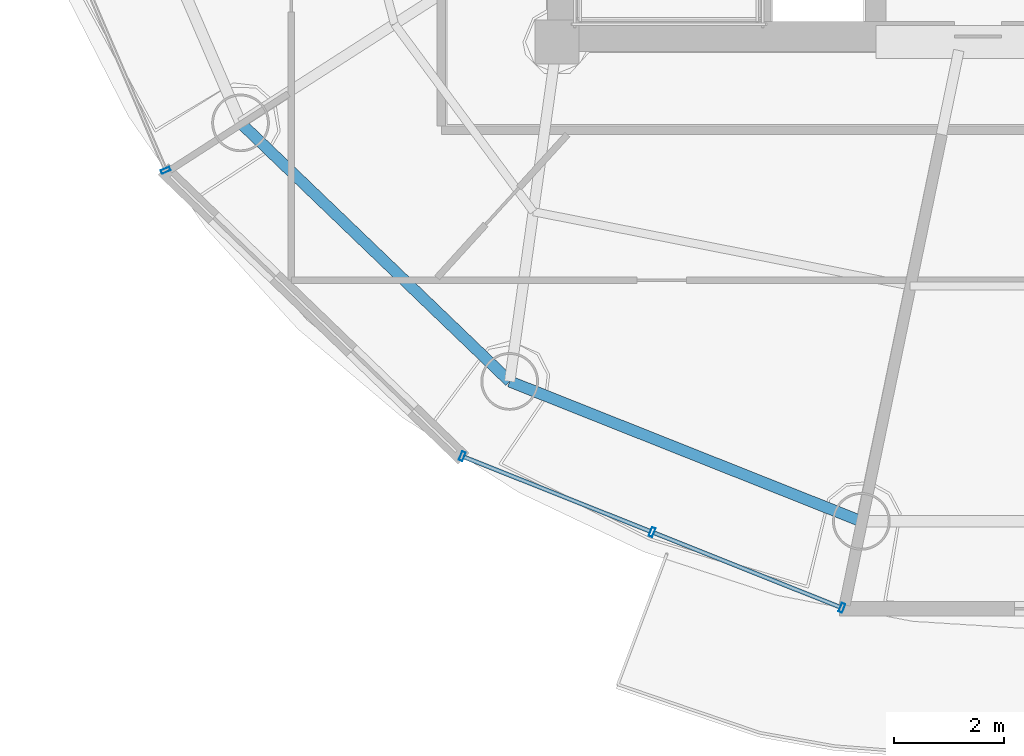
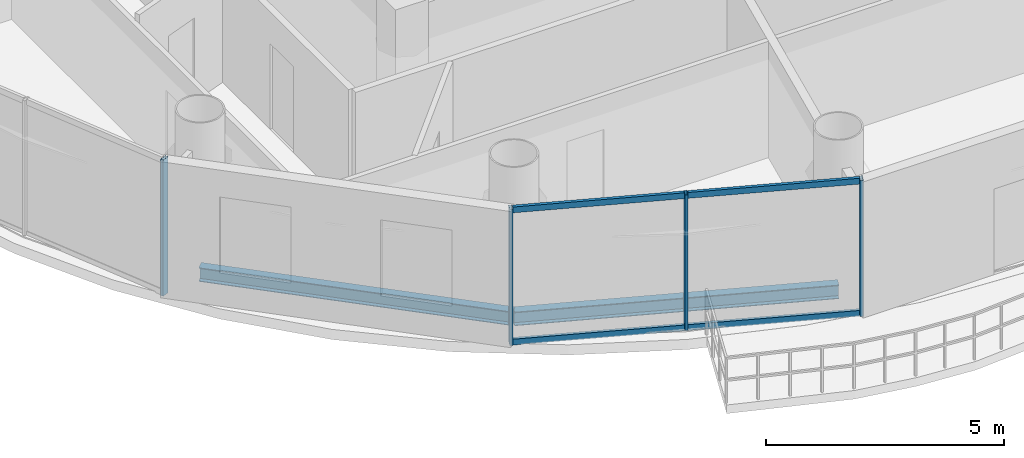
# One storey, part 2 of 22: 8 members, 2 beams, 2 elements without a shape of their own.
"""IFC4 building model written with IfcOpenShell, lengths in metres."""

from ifc_helpers import new_model, si_unit, direction, frame, origin, origin_2d, place, context, subcontext, project, spatial, hollow_rectangle, i_section, extrude, source, transform, mapped, material, material_profile, profile_set, type_object, element, aggregate, save


model = new_model("IFC4")

# Units and contexts
model_context = context("Model", 3, precision=1e-05, world=origin(), true_north=direction((-0.2419218956, 0.970295726276)))
body_context = subcontext(model_context, "Body", "Model", "MODEL_VIEW")
ifc_project = project(units=[si_unit("LENGTHUNIT", "METRE"), si_unit("AREAUNIT", "SQUARE_METRE"), si_unit("VOLUMEUNIT", "CUBIC_METRE"), si_unit("PLANEANGLEUNIT", "RADIAN"), si_unit("MASSUNIT", "GRAM", prefix="KILO")], contexts=[model_context])

# Site, building, storey
site_placement = place(None, origin())
site = spatial("IfcSite", under=ifc_project, at=site_placement, CompositionType="ELEMENT")
building_placement = place(site_placement, origin())
building = spatial("IfcBuilding", under=site, at=building_placement, Name="Cobrevalo Terracotta Tower", CompositionType="ELEMENT")
storey_placement = place(building_placement, frame((0.0, 0.0, 289.449951171875)))
storey = spatial("IfcBuildingStorey", under=building, at=storey_placement, Name="L76", CompositionType="ELEMENT", Elevation=289.449951171875)

# Beams
ifc_material_1 = material(Name="Steel S355", Category="steel")
ifc_material_profile_1 = material_profile(ifc_material_1, i_section(OverallWidth=0.205078125, OverallDepth=0.35400390625, WebThickness=0.009521484375, FlangeThickness=0.016845703125, at=origin_2d()), Name="W 360x79")
ifc_profile_set_1 = profile_set([ifc_material_profile_1], Name="Steel S355")
beam_type = type_object("IfcBeamType", Name="Structural Spandrel W 360x79 (Steel S355)", PredefinedType="SPANDREL", material=ifc_profile_set_1)
beam_1_placement = place(storey_placement, frame((23.241455078125, 17.32763671875, -0.43701171875), z_axis=(0.721183246144, -0.692744343522, 0.0), x_axis=(0.692744343522, 0.721183246144, 0.0)))
element("IfcBeam", 1, at=beam_1_placement, inside=storey, type_object=beam_type, Name="L76 perimeter ring spandrel 10", PredefinedType="SPANDREL", context=body_context, shape_type="SweptSolid", body=[
    extrude(i_section(OverallWidth=0.205078125, OverallDepth=0.35400390625, WebThickness=0.009521484375, FlangeThickness=0.016845703125, at=origin_2d()), origin(), (0.0, 0.0, 1.0), 6.79052734375),
])
beam_2_placement = place(storey_placement, frame((28.138671875, 12.62353515625, -0.43701171875), z_axis=(0.929149986048, -0.369702993533, 0.0), x_axis=(0.369702993533, 0.929149986048, 0.0)))
element("IfcBeam", 2, at=beam_2_placement, inside=storey, type_object=beam_type, Name="L76 perimeter ring spandrel 11", PredefinedType="SPANDREL", context=body_context, shape_type="SweptSolid", body=[
    extrude(i_section(OverallWidth=0.205078125, OverallDepth=0.35400390625, WebThickness=0.009521484375, FlangeThickness=0.016845703125, at=origin_2d()), origin(), (0.0, 0.0, 1.0), 6.88623046875),
])

# Curtain wall, member
ifc_material_2 = material(Name="Anodized aluminium", Category="aluminium")
curtain_wall_type = type_object("IfcCurtainWallType", Name="Upper-tower triple-glazed penthouse curtain wall CW-U3", PredefinedType="NOTDEFINED", material=ifc_material_2)
curtain_wall_1_placement = place(storey_placement, origin())
curtain_wall_1 = element("IfcCurtainWall", 3, at=curtain_wall_1_placement, inside=storey, type_object=curtain_wall_type, Name="L76 curtain wall CW-L76-S09", PredefinedType="NOTDEFINED")
ifc_material_profile_2 = material_profile(ifc_material_2, hollow_rectangle(XDim=0.070068359375, YDim=0.169921875, WallThickness=0.00439453125, at=origin_2d()), Name="CWM 70x170")
ifc_profile_set_2 = profile_set([ifc_material_profile_2], Name="Anodized aluminium")
member_type_1 = type_object("IfcMemberType", Name="Upper tower unitised mullion 70x170", PredefinedType="MULLION", material=ifc_profile_set_2)
shared_shape_1 = source(origin(), body_context, "Body", "SweptSolid", [
    extrude(hollow_rectangle(XDim=0.070068359375, YDim=0.169921875, WallThickness=0.00439453125, at=origin_2d()), origin(), (0.0, 0.0, 1.0), 3.489990234375),
])
member_1_placement = place(storey_placement, frame((21.878662109375, 16.46435546875, 0.0), z_axis=(0.0, 0.0, 1.0), x_axis=(0.39482403454, -0.91875675875, 0.0)))
member_1 = element("IfcMember", 4, at=member_1_placement, type_object=member_type_1, Name="CW-L76-S09 vertical mullion 03", PredefinedType="MULLION", context=body_context, shape_type="MappedRepresentation", body=[
    mapped(shared_shape_1, transform((0.0, 0.0, 0.0), scale=1.0)),
])
aggregate(curtain_wall_1, [member_1])

# Curtain wall, members
curtain_wall_2_placement = place(storey_placement, origin())
curtain_wall_2 = element("IfcCurtainWall", 5, at=curtain_wall_2_placement, inside=storey, type_object=curtain_wall_type, Name="L76 curtain wall CW-L76-S11", PredefinedType="NOTDEFINED")
member_2_placement = place(storey_placement, frame((27.275634765625, 11.26171875, 0.0), z_axis=(0.0, 0.0, 1.0), x_axis=(0.928718980883, -0.370784377433, 0.0)))
member_2 = element("IfcMember", 6, at=member_2_placement, type_object=member_type_1, Name="CW-L76-S11 vertical mullion 01", PredefinedType="MULLION", context=body_context, shape_type="MappedRepresentation", body=[
    mapped(shared_shape_1, transform((0.0, 0.0, 0.0), scale=1.0)),
])
member_3_placement = place(storey_placement, frame((30.729736328125, 9.882568359375, 0.0), z_axis=(0.0, 0.0, 1.0), x_axis=(0.928718980883, -0.370784377433, 0.0)))
member_3 = element("IfcMember", 7, at=member_3_placement, type_object=member_type_1, Name="CW-L76-S11 vertical mullion 02", PredefinedType="MULLION", context=body_context, shape_type="MappedRepresentation", body=[
    mapped(shared_shape_1, transform((0.0, 0.0, 0.0), scale=1.0)),
])
member_4_placement = place(storey_placement, frame((34.183837890625, 8.503662109375, 0.0), z_axis=(0.0, 0.0, 1.0), x_axis=(0.928718980883, -0.370784377433, 0.0)))
member_4 = element("IfcMember", 8, at=member_4_placement, type_object=member_type_1, Name="CW-L76-S11 vertical mullion 03", PredefinedType="MULLION", context=body_context, shape_type="MappedRepresentation", body=[
    mapped(shared_shape_1, transform((0.0, 0.0, 0.0), scale=1.0)),
])
ifc_material_profile_3 = material_profile(ifc_material_2, hollow_rectangle(XDim=0.074951171875, YDim=0.14990234375, WallThickness=0.00439453125, at=origin_2d()), Name="CWT 75x150")
ifc_profile_set_3 = profile_set([ifc_material_profile_3], Name="Anodized aluminium")
member_type_2 = type_object("IfcMemberType", Name="Tower unitised aluminium transom 75x150", PredefinedType="USERDEFINED", material=ifc_profile_set_3)
shared_shape_2 = source(origin(), body_context, "Body", "SweptSolid", [
    extrude(hollow_rectangle(XDim=0.074951171875, YDim=0.14990234375, WallThickness=0.00439453125, at=origin_2d()), origin(), (0.0, 0.0, 1.0), 3.63916015625),
])
member_5_placement = place(storey_placement, frame((27.31298828125, 11.246826171875, 0.050048828125), z_axis=(0.928712471544, -0.370800681227, 0.0), x_axis=(0.370800681227, 0.928712471544, 0.0)))
member_5 = element("IfcMember", 9, at=member_5_placement, type_object=member_type_2, Name="CW-L76-S11 transom B01-T1", ObjectType="TRANSOM", PredefinedType="USERDEFINED", context=body_context, shape_type="MappedRepresentation", body=[
    mapped(shared_shape_2, transform((0.0, 0.0, 0.0), scale=1.0)),
])
member_6_placement = place(storey_placement, frame((27.31298828125, 11.246826171875, 3.43994140625), z_axis=(0.928712471544, -0.370800681227, 0.0), x_axis=(0.370800681227, 0.928712471544, 0.0)))
member_6 = element("IfcMember", 10, at=member_6_placement, type_object=member_type_2, Name="CW-L76-S11 transom B01-T2", ObjectType="TRANSOM", PredefinedType="USERDEFINED", context=body_context, shape_type="MappedRepresentation", body=[
    mapped(shared_shape_2, transform((0.0, 0.0, 0.0), scale=1.0)),
])
member_7_placement = place(storey_placement, frame((30.76708984375, 9.86767578125, 0.050048828125), z_axis=(0.928712471544, -0.370800681227, 0.0), x_axis=(0.370800681227, 0.928712471544, 0.0)))
member_7 = element("IfcMember", 11, at=member_7_placement, type_object=member_type_2, Name="CW-L76-S11 transom B02-T1", ObjectType="TRANSOM", PredefinedType="USERDEFINED", context=body_context, shape_type="MappedRepresentation", body=[
    mapped(shared_shape_2, transform((0.0, 0.0, 0.0), scale=1.0)),
])
member_8_placement = place(storey_placement, frame((30.76708984375, 9.86767578125, 3.43994140625), z_axis=(0.928712471544, -0.370800681227, 0.0), x_axis=(0.370800681227, 0.928712471544, 0.0)))
member_8 = element("IfcMember", 12, at=member_8_placement, type_object=member_type_2, Name="CW-L76-S11 transom B02-T2", ObjectType="TRANSOM", PredefinedType="USERDEFINED", context=body_context, shape_type="MappedRepresentation", body=[
    mapped(shared_shape_2, transform((0.0, 0.0, 0.0), scale=1.0)),
])
aggregate(curtain_wall_2, [member_2, member_3, member_4, member_5, member_6, member_7, member_8])

save(model, "model.ifc")
